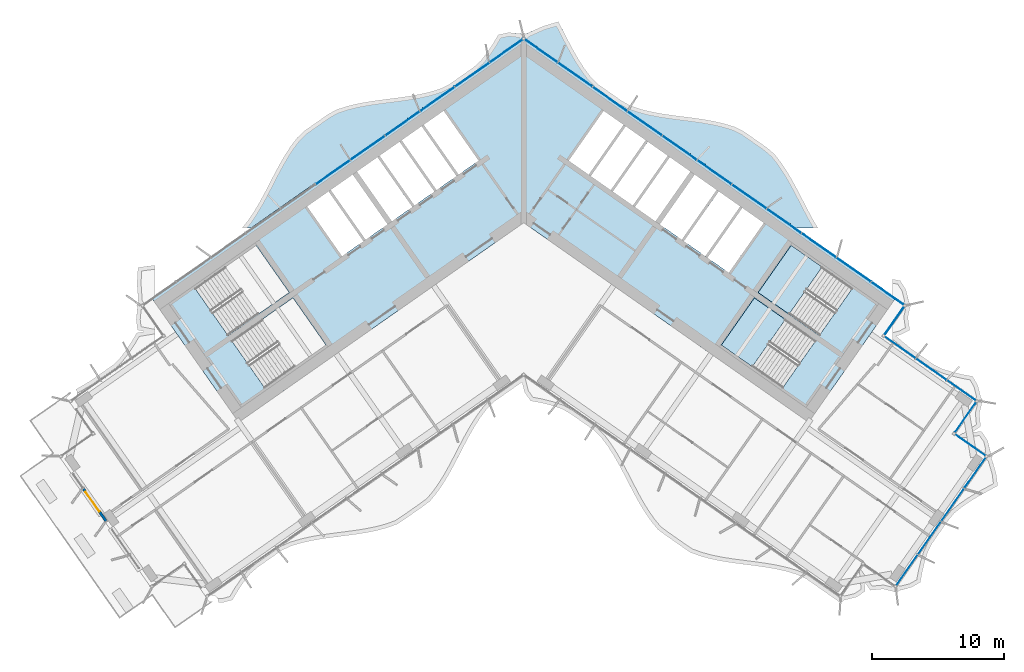
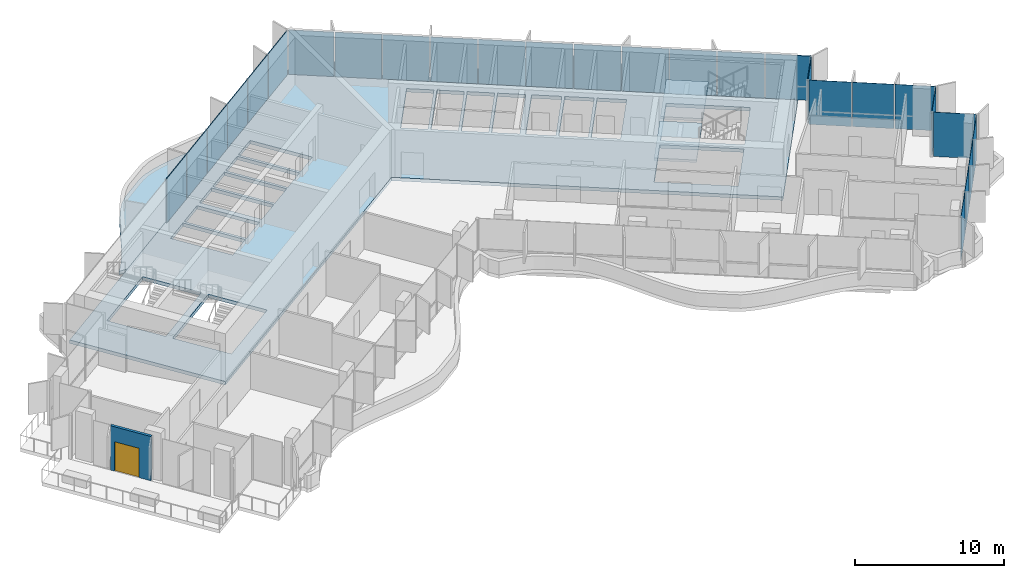
# One storey, part 11 of 22: 27 plates, 4 slabs, 1 door, 1 wall, 1 opening, 4 elements without a shape of their own.
"""IFC4 building model written with IfcOpenShell, lengths in metres."""

from ifc_helpers import new_model, si_unit, direction, frame, frame_2d, origin, origin_2d, place, context, subcontext, project, spatial, polyline, rectangle, outline, extrude, material, layer, layer_set, type_object, element, fill, aggregate, save


model = new_model("IFC4")

# Units and contexts
model_context = context("Model", 3, precision=1e-05, world=origin(), true_north=direction((0.0, 1.0)))
body_context = subcontext(model_context, "Body", "Model", "MODEL_VIEW")
ifc_project = project(units=[si_unit("LENGTHUNIT", "METRE"), si_unit("AREAUNIT", "SQUARE_METRE"), si_unit("VOLUMEUNIT", "CUBIC_METRE"), si_unit("PLANEANGLEUNIT", "RADIAN"), si_unit("MASSUNIT", "GRAM", prefix="KILO")], contexts=[model_context])

# Site, building, storey
site_placement = place(None, origin())
site = spatial("IfcSite", under=ifc_project, at=site_placement, CompositionType="ELEMENT")
building_placement = place(site_placement, origin())
building = spatial("IfcBuilding", under=site, at=building_placement, Name="Tel Ilan Convention Tower", CompositionType="ELEMENT")
storey_placement = place(building_placement, frame((0.0, 0.0, 202.199951171875)))
storey = spatial("IfcBuildingStorey", under=building, at=storey_placement, Name="L47", CompositionType="ELEMENT", Elevation=202.199951171875)

# Curtain wall, plates
ifc_material_1 = material(Name="Aluminium, bronze anodised", Category="aluminium")
curtain_wall_type_1 = type_object("IfcCurtainWallType", Name="CW4 STICK CURTAIN WALL, OFFICE TINTED GLASS", PredefinedType="NOTDEFINED", material=ifc_material_1)
curtain_wall_1_placement = place(storey_placement, origin())
curtain_wall_1 = element("IfcCurtainWall", 1, at=curtain_wall_1_placement, inside=storey, type_object=curtain_wall_type_1, Name="Curtain wall CW4-37.04", PredefinedType="NOTDEFINED")
ifc_material_2 = material(Name="Glass, bronze tinted, two-ply", Category="glass")
ifc_layer_1 = layer(ifc_material_2, 0.028076171875)
ifc_layer_set_1 = layer_set([ifc_layer_1], Name="CW GLASS PANEL 28")
plate_type_1 = type_object("IfcPlateType", Name="CW GLASS PANEL 28", PredefinedType="CURTAIN_PANEL", material=ifc_layer_set_1)
plate_1_placement = place(storey_placement, frame((28.956298828125, -27.51220703125, 0.0), z_axis=(0.0, 0.0, 1.0), x_axis=(0.573576436351, 0.819152044289, 0.0)))
plate_1 = element("IfcPlate", 2, at=plate_1_placement, type_object=plate_type_1, Name="Glass panel", PredefinedType="CURTAIN_PANEL", context=body_context, shape_type="SweptSolid", body=[
    extrude(rectangle(XDim=2.89599609375, YDim=0.028076171875, at=origin_2d()), origin(), (0.0, 0.0, 1.0), 3.6201171875),
])
plate_2_placement = place(storey_placement, frame((30.6787109375, -25.05224609375, 0.0), z_axis=(0.0, 0.0, 1.0), x_axis=(0.573576436351, 0.819152044289, 0.0)))
plate_2 = element("IfcPlate", 3, at=plate_2_placement, type_object=plate_type_1, Name="Glass panel", PredefinedType="CURTAIN_PANEL", context=body_context, shape_type="SweptSolid", body=[
    extrude(rectangle(XDim=2.989990234375, YDim=0.028076171875, at=origin_2d()), origin(), (0.0, 0.0, 1.0), 3.6201171875),
])
plate_3_placement = place(storey_placement, frame((32.42822265625, -22.553955078125, 0.0), z_axis=(0.0, 0.0, 1.0), x_axis=(0.573576436351, 0.819152044289, 0.0)))
plate_3 = element("IfcPlate", 4, at=plate_3_placement, type_object=plate_type_1, Name="Glass panel", PredefinedType="CURTAIN_PANEL", context=body_context, shape_type="SweptSolid", body=[
    extrude(rectangle(XDim=2.989990234375, YDim=0.028076171875, at=origin_2d()), origin(), (0.0, 0.0, 1.0), 3.6201171875),
])
plate_4_placement = place(storey_placement, frame((34.150634765625, -20.093994140625, 0.0), z_axis=(0.0, 0.0, 1.0), x_axis=(0.573576436351, 0.819152044289, 0.0)))
plate_4 = element("IfcPlate", 5, at=plate_4_placement, type_object=plate_type_1, Name="Glass panel", PredefinedType="CURTAIN_PANEL", context=body_context, shape_type="SweptSolid", body=[
    extrude(rectangle(XDim=2.89599609375, YDim=0.028076171875, at=origin_2d()), origin(), (0.0, 0.0, 1.0), 3.6201171875),
])
plate_5_placement = place(storey_placement, frame((33.7978515625, -18.0498046875, 0.0), z_axis=(0.0, 0.0, 1.0), x_axis=(-0.819152044289, 0.573576436351, 0.0)))
plate_5 = element("IfcPlate", 6, at=plate_5_placement, type_object=plate_type_1, Name="Glass panel", PredefinedType="CURTAIN_PANEL", context=body_context, shape_type="SweptSolid", body=[
    extrude(rectangle(XDim=2.875, YDim=0.028076171875, at=origin_2d()), origin(), (0.0, 0.0, 1.0), 3.6201171875),
])
plate_6_placement = place(storey_placement, frame((33.419921875, -15.9072265625, 0.0), z_axis=(0.0, 0.0, 1.0), x_axis=(0.573576436351, 0.819152044289, 0.0)))
plate_6 = element("IfcPlate", 7, at=plate_6_placement, type_object=plate_type_1, Name="Glass panel", PredefinedType="CURTAIN_PANEL", context=body_context, shape_type="SweptSolid", body=[
    extrude(rectangle(XDim=2.875, YDim=0.028076171875, at=origin_2d()), origin(), (0.0, 0.0, 1.0), 3.6201171875),
])
plate_7_placement = place(storey_placement, frame((33.12744140625, -13.918212890625, 0.0), z_axis=(0.0, 0.0, 1.0), x_axis=(-0.819152044289, 0.573576436351, 0.0)))
plate_7 = element("IfcPlate", 8, at=plate_7_placement, type_object=plate_type_1, Name="Glass panel", PredefinedType="CURTAIN_PANEL", context=body_context, shape_type="SweptSolid", body=[
    extrude(rectangle(XDim=2.712646484375, YDim=0.028076171875, at=origin_2d()), origin(), (0.0, 0.0, 1.0), 3.6201171875),
])
plate_8_placement = place(storey_placement, frame((30.81787109375, -12.301025390625, 0.0), z_axis=(0.0, 0.0, 1.0), x_axis=(-0.819152044289, 0.573576436351, 0.0)))
plate_8 = element("IfcPlate", 9, at=plate_8_placement, type_object=plate_type_1, Name="Glass panel", PredefinedType="CURTAIN_PANEL", context=body_context, shape_type="SweptSolid", body=[
    extrude(rectangle(XDim=2.806640625, YDim=0.028076171875, at=origin_2d()), origin(), (0.0, 0.0, 1.0), 3.6201171875),
])
plate_9_placement = place(storey_placement, frame((28.457763671875, -10.6484375, 0.0), z_axis=(0.0, 0.0, 1.0), x_axis=(-0.819152044289, 0.573576436351, 0.0)))
plate_9 = element("IfcPlate", 10, at=plate_9_placement, type_object=plate_type_1, Name="Glass panel", PredefinedType="CURTAIN_PANEL", context=body_context, shape_type="SweptSolid", body=[
    extrude(rectangle(XDim=2.835693359375, YDim=0.028076171875, at=origin_2d()), origin(), (0.0, 0.0, 1.0), 3.6201171875),
])
aggregate(curtain_wall_1, [plate_1, plate_2, plate_3, plate_4, plate_5, plate_6, plate_7, plate_8, plate_9])

ifc_material_3 = material(Name="Aluminium, bronze anodised", Category="aluminium")
curtain_wall_type_2 = type_object("IfcCurtainWallType", Name="CW2 STICK CURTAIN WALL, SPANDREL PANELS", PredefinedType="NOTDEFINED", material=ifc_material_3)
curtain_wall_2_placement = place(storey_placement, origin())
curtain_wall_2 = element("IfcCurtainWall", 11, at=curtain_wall_2_placement, inside=storey, type_object=curtain_wall_type_2, Name="Curtain wall CW2-37.01", PredefinedType="NOTDEFINED")
ifc_material_4 = material(Name="Aluminium composite panel, bronze anodised", Category="aluminium")
ifc_layer_2 = layer(ifc_material_4, 0.06005859375)
ifc_layer_set_2 = layer_set([ifc_layer_2], Name="CW SPANDREL PANEL 60")
plate_type_2 = type_object("IfcPlateType", Name="CW SPANDREL PANEL 60", PredefinedType="CURTAIN_PANEL", material=ifc_layer_set_2)
plate_10_placement = place(storey_placement, frame((28.033935546875, -8.60546875, 0.0), z_axis=(0.0, 0.0, 1.0), x_axis=(0.573576436351, 0.819152044289, 0.0)))
plate_10 = element("IfcPlate", 12, at=plate_10_placement, type_object=plate_type_2, Name="Spandrel panel", PredefinedType="CURTAIN_PANEL", context=body_context, shape_type="SweptSolid", body=[
    extrude(rectangle(XDim=2.658935546875, YDim=0.06005859375, at=origin_2d()), origin(), (0.0, 0.0, 1.0), 3.6201171875),
])
plate_11_placement = place(storey_placement, frame((27.5400390625, -6.587646484375, 0.0), z_axis=(0.0, 0.0, 1.0), x_axis=(-0.819152044289, 0.573576436351, 0.0)))
plate_11 = element("IfcPlate", 13, at=plate_11_placement, type_object=plate_type_2, Name="Spandrel panel", PredefinedType="CURTAIN_PANEL", context=body_context, shape_type="SweptSolid", body=[
    extrude(rectangle(XDim=3.0439453125, YDim=0.06005859375, at=origin_2d()), origin(), (0.0, 0.0, 1.0), 3.6201171875),
])
plate_12_placement = place(storey_placement, frame((24.95263671875, -4.77587890625, 0.0), z_axis=(0.0, 0.0, 1.0), x_axis=(-0.819152044289, 0.573576436351, 0.0)))
plate_12 = element("IfcPlate", 14, at=plate_12_placement, type_object=plate_type_2, Name="Spandrel panel", PredefinedType="CURTAIN_PANEL", context=body_context, shape_type="SweptSolid", body=[
    extrude(rectangle(XDim=3.15380859375, YDim=0.06005859375, at=origin_2d()), origin(), (0.0, 0.0, 1.0), 3.6201171875),
])
plate_13_placement = place(storey_placement, frame((22.31982421875, -2.9326171875, 0.0), z_axis=(0.0, 0.0, 1.0), x_axis=(-0.819152044289, 0.573576436351, 0.0)))
plate_13 = element("IfcPlate", 15, at=plate_13_placement, type_object=plate_type_2, Name="Spandrel panel", PredefinedType="CURTAIN_PANEL", context=body_context, shape_type="SweptSolid", body=[
    extrude(rectangle(XDim=3.15380859375, YDim=0.06005859375, at=origin_2d()), origin(), (0.0, 0.0, 1.0), 3.6201171875),
])
plate_14_placement = place(storey_placement, frame((19.687255859375, -1.089111328125, 0.0), z_axis=(0.0, 0.0, 1.0), x_axis=(-0.819152044289, 0.573576436351, 0.0)))
plate_14 = element("IfcPlate", 16, at=plate_14_placement, type_object=plate_type_2, Name="Spandrel panel", PredefinedType="CURTAIN_PANEL", context=body_context, shape_type="SweptSolid", body=[
    extrude(rectangle(XDim=3.15380859375, YDim=0.06005859375, at=origin_2d()), origin(), (0.0, 0.0, 1.0), 3.6201171875),
])
plate_15_placement = place(storey_placement, frame((17.0546875, 0.754150390625, 0.0), z_axis=(0.0, 0.0, 1.0), x_axis=(-0.819152044289, 0.573576436351, 0.0)))
plate_15 = element("IfcPlate", 17, at=plate_15_placement, type_object=plate_type_2, Name="Spandrel panel", PredefinedType="CURTAIN_PANEL", context=body_context, shape_type="SweptSolid", body=[
    extrude(rectangle(XDim=3.15380859375, YDim=0.06005859375, at=origin_2d()), origin(), (0.0, 0.0, 1.0), 3.6201171875),
])
plate_16_placement = place(storey_placement, frame((14.422119140625, 2.59765625, 0.0), z_axis=(0.0, 0.0, 1.0), x_axis=(-0.819152044289, 0.573576436351, 0.0)))
plate_16 = element("IfcPlate", 18, at=plate_16_placement, type_object=plate_type_2, Name="Spandrel panel", PredefinedType="CURTAIN_PANEL", context=body_context, shape_type="SweptSolid", body=[
    extrude(rectangle(XDim=3.15380859375, YDim=0.06005859375, at=origin_2d()), origin(), (0.0, 0.0, 1.0), 3.6201171875),
])
plate_17_placement = place(storey_placement, frame((11.789306640625, 4.44091796875, 0.0), z_axis=(0.0, 0.0, 1.0), x_axis=(-0.819152044289, 0.573576436351, 0.0)))
plate_17 = element("IfcPlate", 19, at=plate_17_placement, type_object=plate_type_2, Name="Spandrel panel", PredefinedType="CURTAIN_PANEL", context=body_context, shape_type="SweptSolid", body=[
    extrude(rectangle(XDim=3.15380859375, YDim=0.06005859375, at=origin_2d()), origin(), (0.0, 0.0, 1.0), 3.6201171875),
])
plate_18_placement = place(storey_placement, frame((9.15673828125, 6.284423828125, 0.0), z_axis=(0.0, 0.0, 1.0), x_axis=(-0.819152044289, 0.573576436351, 0.0)))
plate_18 = element("IfcPlate", 20, at=plate_18_placement, type_object=plate_type_2, Name="Spandrel panel", PredefinedType="CURTAIN_PANEL", context=body_context, shape_type="SweptSolid", body=[
    extrude(rectangle(XDim=3.15380859375, YDim=0.06005859375, at=origin_2d()), origin(), (0.0, 0.0, 1.0), 3.6201171875),
])
plate_19_placement = place(storey_placement, frame((6.524169921875, 8.127685546875, 0.0), z_axis=(0.0, 0.0, 1.0), x_axis=(-0.819152044289, 0.573576436351, 0.0)))
plate_19 = element("IfcPlate", 21, at=plate_19_placement, type_object=plate_type_2, Name="Spandrel panel", PredefinedType="CURTAIN_PANEL", context=body_context, shape_type="SweptSolid", body=[
    extrude(rectangle(XDim=3.15380859375, YDim=0.06005859375, at=origin_2d()), origin(), (0.0, 0.0, 1.0), 3.6201171875),
])
plate_20_placement = place(storey_placement, frame((3.8916015625, 9.97119140625, 0.0), z_axis=(0.0, 0.0, 1.0), x_axis=(-0.819152044289, 0.573576436351, 0.0)))
plate_20 = element("IfcPlate", 22, at=plate_20_placement, type_object=plate_type_2, Name="Spandrel panel", PredefinedType="CURTAIN_PANEL", context=body_context, shape_type="SweptSolid", body=[
    extrude(rectangle(XDim=3.15380859375, YDim=0.06005859375, at=origin_2d()), origin(), (0.0, 0.0, 1.0), 3.6201171875),
])
plate_21_placement = place(storey_placement, frame((1.303955078125, 11.782958984375, 0.0), z_axis=(0.0, 0.0, 1.0), x_axis=(-0.819152044289, 0.573576436351, 0.0)))
plate_21 = element("IfcPlate", 23, at=plate_21_placement, type_object=plate_type_2, Name="Spandrel panel", PredefinedType="CURTAIN_PANEL", context=body_context, shape_type="SweptSolid", body=[
    extrude(rectangle(XDim=3.0439453125, YDim=0.06005859375, at=origin_2d()), origin(), (0.0, 0.0, 1.0), 3.6201171875),
])
plate_22_placement = place(storey_placement, frame((-1.303955078125, 11.782958984375, 0.0), z_axis=(0.0, 0.0, 1.0), x_axis=(-0.819152044289, -0.573576436351, 0.0)))
plate_22 = element("IfcPlate", 24, at=plate_22_placement, type_object=plate_type_2, Name="Spandrel panel", PredefinedType="CURTAIN_PANEL", context=body_context, shape_type="SweptSolid", body=[
    extrude(rectangle(XDim=3.0439453125, YDim=0.06005859375, at=origin_2d()), origin(), (0.0, 0.0, 1.0), 3.6201171875),
])
plate_23_placement = place(storey_placement, frame((-3.8916015625, 9.97119140625, 0.0), z_axis=(0.0, 0.0, 1.0), x_axis=(-0.819152044289, -0.573576436351, 0.0)))
plate_23 = element("IfcPlate", 25, at=plate_23_placement, type_object=plate_type_2, Name="Spandrel panel", PredefinedType="CURTAIN_PANEL", context=body_context, shape_type="SweptSolid", body=[
    extrude(rectangle(XDim=3.15380859375, YDim=0.06005859375, at=origin_2d()), origin(), (0.0, 0.0, 1.0), 3.6201171875),
])
plate_24_placement = place(storey_placement, frame((-6.524169921875, 8.127685546875, 0.0), z_axis=(0.0, 0.0, 1.0), x_axis=(-0.819152044289, -0.573576436351, 0.0)))
plate_24 = element("IfcPlate", 26, at=plate_24_placement, type_object=plate_type_2, Name="Spandrel panel", PredefinedType="CURTAIN_PANEL", context=body_context, shape_type="SweptSolid", body=[
    extrude(rectangle(XDim=3.15380859375, YDim=0.06005859375, at=origin_2d()), origin(), (0.0, 0.0, 1.0), 3.6201171875),
])
plate_25_placement = place(storey_placement, frame((-9.15673828125, 6.284423828125, 0.0), z_axis=(0.0, 0.0, 1.0), x_axis=(-0.819152044289, -0.573576436351, 0.0)))
plate_25 = element("IfcPlate", 27, at=plate_25_placement, type_object=plate_type_2, Name="Spandrel panel", PredefinedType="CURTAIN_PANEL", context=body_context, shape_type="SweptSolid", body=[
    extrude(rectangle(XDim=3.15380859375, YDim=0.06005859375, at=origin_2d()), origin(), (0.0, 0.0, 1.0), 3.6201171875),
])
plate_26_placement = place(storey_placement, frame((-11.789306640625, 4.44091796875, 0.0), z_axis=(0.0, 0.0, 1.0), x_axis=(-0.819152044289, -0.573576436351, 0.0)))
plate_26 = element("IfcPlate", 28, at=plate_26_placement, type_object=plate_type_2, Name="Spandrel panel", PredefinedType="CURTAIN_PANEL", context=body_context, shape_type="SweptSolid", body=[
    extrude(rectangle(XDim=3.15380859375, YDim=0.06005859375, at=origin_2d()), origin(), (0.0, 0.0, 1.0), 3.6201171875),
])
plate_27_placement = place(storey_placement, frame((-14.422119140625, 2.59765625, 0.0), z_axis=(0.0, 0.0, 1.0), x_axis=(-0.819152044289, -0.573576436351, 0.0)))
plate_27 = element("IfcPlate", 29, at=plate_27_placement, type_object=plate_type_2, Name="Spandrel panel", PredefinedType="CURTAIN_PANEL", context=body_context, shape_type="SweptSolid", body=[
    extrude(rectangle(XDim=3.15380859375, YDim=0.06005859375, at=origin_2d()), origin(), (0.0, 0.0, 1.0), 3.6201171875),
])
aggregate(curtain_wall_2, [plate_10, plate_11, plate_12, plate_13, plate_14, plate_15, plate_16, plate_17, plate_18, plate_19, plate_20, plate_21, plate_22, plate_23, plate_24, plate_25, plate_26, plate_27])

# Stair, slab
ifc_material_5 = material(Name="Concrete C40/50", Category="concrete")
stair_type = type_object("IfcStairType", Name="Pressurised Exit Stair 22 risers 177 mm", PredefinedType="HALF_TURN_STAIR", material=ifc_material_5)
stair_1_placement = place(storey_placement, origin())
stair_1 = element("IfcStair", 30, at=stair_1_placement, inside=storey, type_object=stair_type, Name="L47 Pressurised Stair S3", PredefinedType="HALF_TURN_STAIR")
ifc_material_6 = material(Name="Concrete C40/50", Category="concrete")
ifc_layer_3 = layer(ifc_material_6, 0.199951171875)
ifc_layer_set_3 = layer_set([ifc_layer_3], Name="Concrete Stair Landing 200 mm C40/50")
slab_type_1 = type_object("IfcSlabType", Name="Concrete Stair Landing 200 mm", PredefinedType="LANDING", material=ifc_layer_set_3)
slab_1_placement = place(storey_placement, frame((0.0, 0.0, 1.75)))
slab_1 = element("IfcSlab", 31, at=slab_1_placement, type_object=slab_type_1, Name="S3 landing 1", PredefinedType="LANDING", context=body_context, shape_type="SweptSolid", body=[
    extrude(outline(polyline([(22.561767578125, -4.566650390625), (20.226318359375, -2.931640625), (17.7314453125, -6.494873046875), (20.066650390625, -8.130126953125), (22.561767578125, -4.566650390625)])), origin(), (0.0, 0.0, 1.0), 0.199951171875),
])
aggregate(stair_1, [slab_1])

stair_2_placement = place(storey_placement, origin())
stair_2 = element("IfcStair", 32, at=stair_2_placement, inside=storey, type_object=stair_type, Name="L47 Pressurised Stair S4", PredefinedType="HALF_TURN_STAIR")
slab_2_placement = place(storey_placement, frame((0.0, 0.0, 1.75)))
slab_2 = element("IfcSlab", 33, at=slab_2_placement, type_object=slab_type_1, Name="S4 landing 1", PredefinedType="LANDING", context=body_context, shape_type="SweptSolid", body=[
    extrude(outline(polyline([(19.77978515625, -8.53955078125), (17.444580078125, -6.904541015625), (14.949462890625, -10.4677734375), (17.28466796875, -12.10302734375), (19.77978515625, -8.53955078125)])), origin(), (0.0, 0.0, 1.0), 0.199951171875),
])
aggregate(stair_2, [slab_2])

# Slabs
ifc_material_7 = material(Name="Concrete C40/50", Category="concrete")
ifc_layer_4 = layer(ifc_material_7, 0.280029296875)
ifc_layer_set_4 = layer_set([ifc_layer_4], Name="Core Floor Slab 280 mm C40/50")
slab_type_2 = type_object("IfcSlabType", Name="Core Floor Slab 280 mm C40/50", PredefinedType="FLOOR", material=ifc_layer_set_4)
slab_3_placement = place(storey_placement, frame((0.0, 0.0, -0.280029296875)))
element("IfcSlab", 34, at=slab_3_placement, inside=storey, type_object=slab_type_2, Name="L47 core floor 1", PredefinedType="FLOOR", context=body_context, shape_type="SweptSolid", body=[
    extrude(outline(polyline([(-28.1396484375, -6.885498046875), (0.0, 12.818115234375), (28.1396484375, -6.885498046875), (21.54345703125, -16.3056640625), (0.0, -1.220703125), (-21.54345703125, -16.3056640625), (-28.1396484375, -6.885498046875)]), holes=[polyline([(-14.949462890625, -10.4677734375), (-17.444580078125, -6.904541015625), (-22.072021484375, -10.144775390625), (-19.5771484375, -13.7080078125), (-14.949462890625, -10.4677734375)]), polyline([(-17.7314453125, -6.494873046875), (-20.226318359375, -2.931640625), (-24.85400390625, -6.171875), (-22.35888671875, -9.735107421875), (-17.7314453125, -6.494873046875)]), polyline([(-14.75048828125, 1.14697265625), (-16.368408203125, 0.01416015625), (-13.729736328125, -3.75390625), (-12.112060546875, -2.62109375), (-14.75048828125, 1.14697265625)]), polyline([(-12.927734375, 2.423095703125), (-14.586669921875, 1.26171875), (-11.947998046875, -2.506591796875), (-10.289306640625, -1.344970703125), (-12.927734375, 2.423095703125)]), polyline([(-11.053955078125, 3.735107421875), (-12.60009765625, 2.652587890625), (-9.961669921875, -1.115478515625), (-8.41552734375, -0.032958984375), (-11.053955078125, 3.735107421875)]), polyline([(-9.385009765625, 4.90380859375), (-10.89013671875, 3.849853515625), (-8.251708984375, 0.081787109375), (-6.74658203125, 1.1357421875), (-9.385009765625, 4.90380859375)]), polyline([(-7.716064453125, 6.072509765625), (-9.22119140625, 5.0185546875), (-6.582763671875, 1.25048828125), (-5.077392578125, 2.304443359375), (-7.716064453125, 6.072509765625)]), polyline([(-6.046875, 7.2412109375), (-7.552001953125, 6.187255859375), (-4.913818359375, 2.419189453125), (-3.408447265625, 3.47314453125), (-6.046875, 7.2412109375)]), polyline([(4.913818359375, 2.419189453125), (7.552001953125, 6.187255859375), (6.046875, 7.2412109375), (3.408447265625, 3.47314453125), (4.913818359375, 2.419189453125)]), polyline([(17.444580078125, -6.904541015625), (14.949462890625, -10.4677734375), (19.5771484375, -13.7080078125), (22.072021484375, -10.144775390625), (17.444580078125, -6.904541015625)]), polyline([(20.226318359375, -2.931640625), (17.7314453125, -6.494873046875), (22.35888671875, -9.735107421875), (24.85400390625, -6.171875), (20.226318359375, -2.931640625)]), polyline([(15.511474609375, -5.00146484375), (18.14990234375, -1.2333984375), (16.531982421875, -0.1005859375), (13.8935546875, -3.86865234375), (15.511474609375, -5.00146484375)]), polyline([(13.729736328125, -3.75390625), (16.368408203125, 0.01416015625), (14.75048828125, 1.14697265625), (12.112060546875, -2.62109375), (13.729736328125, -3.75390625)]), polyline([(11.947998046875, -2.506591796875), (14.586669921875, 1.26171875), (12.927734375, 2.423095703125), (10.289306640625, -1.344970703125), (11.947998046875, -2.506591796875)]), polyline([(9.961669921875, -1.115478515625), (12.60009765625, 2.652587890625), (11.053955078125, 3.735107421875), (8.41552734375, -0.032958984375), (9.961669921875, -1.115478515625)]), polyline([(6.74658203125, 1.1357421875), (8.251708984375, 0.081787109375), (10.89013671875, 3.849853515625), (9.385009765625, 4.90380859375), (6.74658203125, 1.1357421875)]), polyline([(5.077392578125, 2.304443359375), (6.582763671875, 1.25048828125), (9.22119140625, 5.0185546875), (7.716064453125, 6.072509765625), (5.077392578125, 2.304443359375)])]), origin(), (0.0, 0.0, 1.0), 0.280029296875),
])
ifc_material_8 = material(Name="Concrete C40/50", Category="concrete")
ifc_layer_5 = layer(ifc_material_8, 0.280029296875)
ifc_layer_set_5 = layer_set([ifc_layer_5], Name="Edge Ledge Slab 280 mm C40/50")
slab_type_3 = type_object("IfcSlabType", Name="Edge Ledge Slab 280 mm C40/50", PredefinedType="FLOOR", material=ifc_layer_set_5)
slab_4_placement = place(storey_placement, frame((0.0, 0.0, -0.280029296875)))
element("IfcSlab", 35, at=slab_4_placement, inside=storey, type_object=slab_type_3, Name="L47 edge ledge 2", PredefinedType="FLOOR", context=body_context, shape_type="SweptSolid", body=[
    extrude(outline(polyline([(-19.60009765625, 1.004150390625), (-19.217529296875, 1.741943359375), (-18.83642578125, 2.481689453125), (-18.44677734375, 3.209228515625), (-18.0390625, 3.910888671875), (-17.604736328125, 4.574951171875), (-17.13671875, 5.190185546875), (-16.6015625, 5.71044921875), (-14.791748046875, 6.977783203125), (-14.1416015625, 7.33349609375), (-13.41064453125, 7.573486328125), (-12.644287109375, 7.76318359375), (-11.849853515625, 7.91259765625), (-11.03564453125, 8.033935546875), (-10.211181640625, 8.140380859375), (-9.385986328125, 8.24609375), (-8.570068359375, 8.36474609375), (-7.7724609375, 8.509765625), (-7.002197265625, 8.693603515625), (-6.26611328125, 8.926513671875), (-5.601806640625, 9.261962890625), (-3.7919921875, 10.529296875), (-3.2421875, 11.0283203125), (-2.769287109375, 11.63671875), (-2.3310546875, 12.294921875), (-1.919921875, 12.991943359375), (-1.14208984375, 13.1650390625), (-0.172119140625, 13.06396484375), (-0.168701171875, 13.05908203125), (-0.11474609375, 13.09521484375), (0.0, 13.1181640625), (0.11474609375, 13.09521484375), (0.168701171875, 13.05908203125), (0.172119140625, 13.06396484375), (1.4794921875, 13.647216796875), (2.6162109375, 13.986328125), (3.000244140625, 13.250732421875), (3.38134765625, 12.510986328125), (3.770263671875, 11.7822265625), (4.176513671875, 11.078369140625), (4.608642578125, 10.41162109375), (5.074462890625, 9.792724609375), (5.601806640625, 9.261962890625), (7.411865234375, 7.99462890625), (8.054931640625, 7.62890625), (8.783447265625, 7.385498046875), (9.547607421875, 7.19287109375), (10.340576171875, 7.041015625), (11.15380859375, 6.91845703125), (11.977783203125, 6.811279296875), (12.80322265625, 6.7060546875), (13.6201171875, 6.588623046875), (14.419189453125, 6.44580078125), (15.191650390625, 6.2646484375), (15.929931640625, 6.03515625), (16.6015625, 5.71044921875), (18.41162109375, 4.443115234375), (18.96826171875, 3.9541015625), (19.44384765625, 3.34912109375), (19.884033203125, 2.69384765625), (20.296142578125, 1.998291015625), (20.688720703125, 1.27490234375), (21.07080078125, 0.53662109375), (21.4521484375, -0.202880859375), (21.8427734375, -0.928955078125), (22.25341796875, -1.631591796875), (20.63623046875, -1.631591796875), (0.0, 12.818115234375), (-20.63623046875, -1.631591796875), (-21.30126953125, -1.631591796875), (-20.849609375, -1.0634765625), (-20.4072265625, -0.4111328125), (-19.993408203125, 0.281982421875), (-19.60009765625, 1.004150390625)])), origin(), (0.0, 0.0, 1.0), 0.280029296875),
])

# Wall, opening, door
ifc_material_9 = material(Name="Aluminium composite cladding, bronze anodised on steel studs", Category="steel")
ifc_layer_6 = layer(ifc_material_9, 0.199951171875)
ifc_layer_set_6 = layer_set([ifc_layer_6], Name="TERRACE DOOR BAY WALL 200")
wall_type = type_object("IfcWallType", Name="TERRACE DOOR BAY WALL 200", PredefinedType="SOLIDWALL", material=ifc_layer_set_6)
wall_placement = place(storey_placement, frame((-33.28564453125, -21.329345703125, 0.0), z_axis=(0.0, 0.0, 1.0), x_axis=(0.573550025111, -0.819170537004, 0.0)))
wall = element("IfcWall", 36, at=wall_placement, inside=storey, type_object=wall_type, Name="Terrace door bay", PredefinedType="SOLIDWALL", context=body_context, shape_type="SweptSolid", body=[
    extrude(rectangle(XDim=2.989990234375, YDim=0.199951171875, at=frame_2d((1.4951171875, 0.0))), origin(), (0.0, 0.0, 1.0), 3.6201171875),
])
opening_placement = place(wall_placement, frame((0.294921875, 0.0, 0.0)))
opening = element("IfcOpeningElement", 37, at=opening_placement, cuts=wall, Name="Opening T47.01", PredefinedType="OPENING", context=body_context, shape_type="SweptSolid", body=[
    extrude(rectangle(XDim=1.800048828125, YDim=2.39990234375, at=frame_2d((0.89990234375, 1.199951171875))), frame((0.0, 0.10986328125, 0.0), z_axis=(0.0, -1.0, 0.0), x_axis=(1.0, 0.0, 0.0)), (0.0, 0.0, 1.0), 0.219970703125),
])
ifc_material_10 = material(Name="Aluminium framed glazed door, bronze anodised", Category="aluminium")
door_type = type_object("IfcDoorType", Name="TERRACE DOUBLE DOOR 1800x2400", OperationType="NOTDEFINED", PredefinedType="DOOR", material=ifc_material_10)
door_placement = place(opening_placement, origin())
door = element("IfcDoor", 38, at=door_placement, inside=storey, type_object=door_type, Name="Terrace door", OperationType="DOUBLE_DOOR_DOUBLE_SWING", OverallHeight=2.39990234375, OverallWidth=1.800048828125, PredefinedType="DOOR", context=body_context, shape_type="SweptSolid", body=[
    extrude(rectangle(XDim=1.800048828125, YDim=2.39990234375, at=frame_2d((0.89990234375, 1.199951171875))), frame((0.0, 0.02490234375, 0.0), z_axis=(0.0, -1.0, 0.0), x_axis=(1.0, 0.0, 0.0)), (0.0, 0.0, 1.0), 0.050048828125),
])
fill(opening, door)

save(model, "model.ifc")
